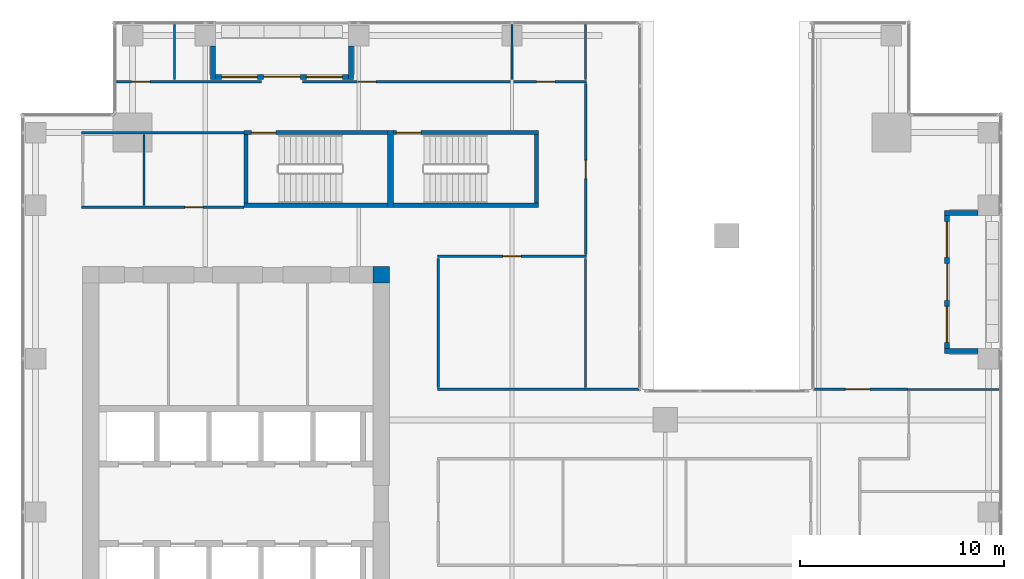
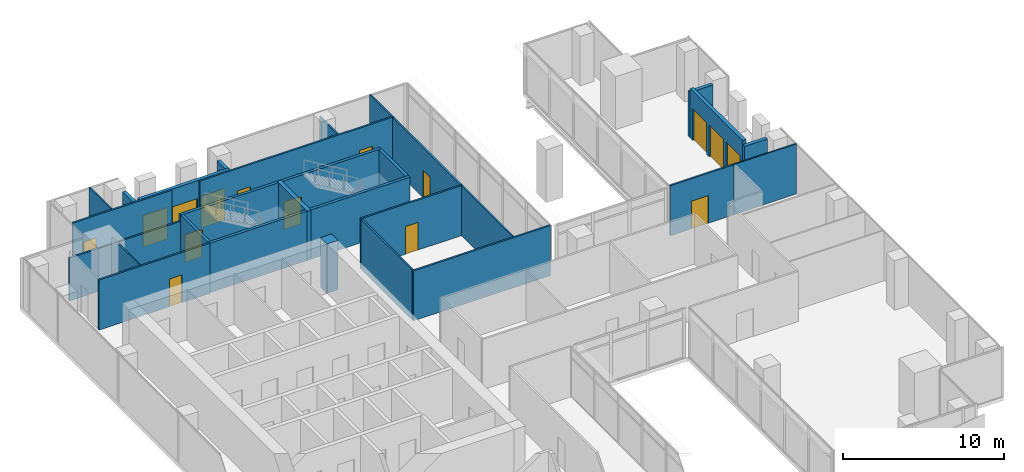
# One storey, part 36 of 40: 29 walls, 11 doors, 4 windows, 15 openings.
"""IFC4 building model written with IfcOpenShell, lengths in metres."""

from ifc_helpers import new_model, si_unit, direction, frame, frame_2d, origin, place, context, subcontext, project, spatial, rectangle, extrude, source, transform, mapped, material, layer, layer_set, type_object, element, fill, save


model = new_model("IFC4")

# Units and contexts
model_context = context("Model", 3, precision=1e-05, world=origin(), true_north=direction((0.0, 1.0)))
body_context = subcontext(model_context, "Body", "Model", "MODEL_VIEW")
ifc_project = project(units=[si_unit("LENGTHUNIT", "METRE"), si_unit("AREAUNIT", "SQUARE_METRE"), si_unit("VOLUMEUNIT", "CUBIC_METRE"), si_unit("PLANEANGLEUNIT", "RADIAN"), si_unit("MASSUNIT", "GRAM", prefix="KILO")], contexts=[model_context])

# Site, building, storey
site_placement = place(None, origin())
site = spatial("IfcSite", under=ifc_project, at=site_placement, CompositionType="ELEMENT")
building_placement = place(site_placement, origin())
building = spatial("IfcBuilding", under=site, at=building_placement, Name="Khomas Fold Tower", CompositionType="ELEMENT")
storey_placement = place(building_placement, frame((0.0, 0.0, 180.699951171875)))
storey = spatial("IfcBuildingStorey", under=building, at=storey_placement, Name="L39", CompositionType="ELEMENT", Elevation=180.699951171875)

# Wall
ifc_material_1 = material(Name="Concrete C60/75", Category="concrete")
ifc_layer_1 = layer(ifc_material_1, 0.800048828125)
ifc_layer_set_1 = layer_set([ifc_layer_1], Name="Concrete C60/75")
wall_type_1 = type_object("IfcWallType", Name="Core corner wall 800", PredefinedType="SHEAR", material=ifc_layer_set_1)
shared_shape_1 = source(origin(), body_context, "Body", "SweptSolid", [
    extrude(rectangle(XDim=0.800048828125, YDim=0.800048828125, at=frame_2d((0.39990234375, 0.0))), origin(), (0.0, 0.0, 1.0), 3.75),
])
wall_1_placement = place(storey_placement, frame((20.199951171875, 38.60009765625, 0.0), z_axis=(0.0, 0.0, 1.0), x_axis=(1.0, 0.0, 0.0)))
element("IfcWall", 1, at=wall_1_placement, inside=storey, type_object=wall_type_1, Name="Core wall CW-U-NE-L35", PredefinedType="SHEAR", context=body_context, shape_type="MappedRepresentation", body=[
    mapped(shared_shape_1, transform((0.0, 0.0, 0.0))),
])

# Wall, opening, door
ifc_material_2 = material(Name="Concrete C50/60", Category="concrete")
ifc_layer_2 = layer(ifc_material_2, 0.199951171875)
ifc_layer_set_2 = layer_set([ifc_layer_2], Name="Concrete C50/60")
wall_type_2 = type_object("IfcWallType", Name="Stair wall 200", PredefinedType="SHEAR", material=ifc_layer_set_2)
shared_shape_2 = source(origin(), body_context, "Body", "SweptSolid", [
    extrude(rectangle(XDim=7.0, YDim=0.199951171875, at=frame_2d((3.5, 0.0))), origin(), (0.0, 0.0, 1.0), 3.75),
])
wall_2_placement = place(storey_placement, frame((13.89990234375, 45.550048828125, 0.0), z_axis=(0.0, 0.0, 1.0), x_axis=(1.0, 0.0, 0.0)))
wall_2 = element("IfcWall", 2, at=wall_2_placement, inside=storey, type_object=wall_type_2, Name="Stair wall SW-ST1-N", PredefinedType="SHEAR", context=body_context, shape_type="MappedRepresentation", body=[
    mapped(shared_shape_2, transform((0.0, 0.0, 0.0))),
])
shared_shape_3 = source(origin(), body_context, "Body", "SweptSolid", [
    extrude(rectangle(XDim=1.199951171875, YDim=2.10009765625, at=frame_2d((0.60009765625, 1.050048828125))), frame((0.0, 0.10986328125, 0.0), z_axis=(0.0, -1.0, 0.0), x_axis=(1.0, 0.0, 0.0)), (0.0, 0.0, 1.0), 0.219970703125),
])
opening_1_placement = place(wall_2_placement, frame((0.35009765625, 0.0, 0.0)))
opening_1 = element("IfcOpeningElement", 3, at=opening_1_placement, cuts=wall_2, Name="Opening SD-ST1", PredefinedType="OPENING", context=body_context, shape_type="MappedRepresentation", body=[
    mapped(shared_shape_3, transform((0.0, 0.0, 0.0))),
])
ifc_material_3 = material(Name="Steel door leaf", Category="steel")
door_type_1 = type_object("IfcDoorType", Name="Stair door 1200x2100 left-hand", OperationType="SINGLE_SWING_LEFT", PredefinedType="DOOR", material=ifc_material_3)
shared_shape_4 = source(origin(), body_context, "Body", "SweptSolid", [
    extrude(rectangle(XDim=1.199951171875, YDim=2.10009765625, at=frame_2d((0.60009765625, 1.050048828125))), frame((0.0, 0.02490234375, 0.0), z_axis=(0.0, -1.0, 0.0), x_axis=(1.0, 0.0, 0.0)), (0.0, 0.0, 1.0), 0.050048828125),
])
door_1_placement = place(opening_1_placement, origin())
door_1 = element("IfcDoor", 4, at=door_1_placement, inside=storey, type_object=door_type_1, Name="Stair door", OperationType="SINGLE_SWING_LEFT", OverallHeight=2.10009765625, OverallWidth=1.199951171875, PredefinedType="DOOR", context=body_context, shape_type="MappedRepresentation", body=[
    mapped(shared_shape_4, transform((0.0, 0.0, 0.0))),
])
fill(opening_1, door_1)

# Wall
wall_3_placement = place(storey_placement, frame((13.89990234375, 42.0, 0.0), z_axis=(0.0, 0.0, 1.0), x_axis=(1.0, 0.0, 0.0)))
element("IfcWall", 5, at=wall_3_placement, inside=storey, type_object=wall_type_2, Name="Stair wall SW-ST1-S", PredefinedType="SHEAR", context=body_context, shape_type="MappedRepresentation", body=[
    mapped(shared_shape_2, transform((0.0, 0.0, 0.0))),
])

# Wall, opening, door
shared_shape_5 = source(origin(), body_context, "Body", "SweptSolid", [
    extrude(rectangle(XDim=7.10009765625, YDim=0.199951171875, at=frame_2d((3.550048828125, 0.0))), origin(), (0.0, 0.0, 1.0), 3.75),
])
wall_4_placement = place(storey_placement, frame((21.199951171875, 45.550048828125, 0.0), z_axis=(0.0, 0.0, 1.0), x_axis=(1.0, 0.0, 0.0)))
wall_4 = element("IfcWall", 6, at=wall_4_placement, inside=storey, type_object=wall_type_2, Name="Stair wall SW-ST3-N", PredefinedType="SHEAR", context=body_context, shape_type="MappedRepresentation", body=[
    mapped(shared_shape_5, transform((0.0, 0.0, 0.0))),
])
opening_2_placement = place(wall_4_placement, frame((0.14990234375, 0.0, 0.0)))
opening_2 = element("IfcOpeningElement", 7, at=opening_2_placement, cuts=wall_4, Name="Opening SD-ST3", PredefinedType="OPENING", context=body_context, shape_type="MappedRepresentation", body=[
    mapped(shared_shape_3, transform((0.0, 0.0, 0.0))),
])
door_2_placement = place(opening_2_placement, origin())
door_2 = element("IfcDoor", 8, at=door_2_placement, inside=storey, type_object=door_type_1, Name="Stair door", OperationType="SINGLE_SWING_LEFT", OverallHeight=2.10009765625, OverallWidth=1.199951171875, PredefinedType="DOOR", context=body_context, shape_type="MappedRepresentation", body=[
    mapped(shared_shape_4, transform((0.0, 0.0, 0.0))),
])
fill(opening_2, door_2)

# Walls
wall_5_placement = place(storey_placement, frame((21.199951171875, 42.0, 0.0), z_axis=(0.0, 0.0, 1.0), x_axis=(1.0, 0.0, 0.0)))
element("IfcWall", 9, at=wall_5_placement, inside=storey, type_object=wall_type_2, Name="Stair wall SW-ST3-S", PredefinedType="SHEAR", context=body_context, shape_type="MappedRepresentation", body=[
    mapped(shared_shape_5, transform((0.0, 0.0, 0.0))),
])
ifc_material_4 = material(Name="Concrete C50/60", Category="concrete")
ifc_layer_3 = layer(ifc_material_4, 0.300048828125)
ifc_layer_set_3 = layer_set([ifc_layer_3], Name="Concrete C50/60")
wall_type_3 = type_object("IfcWallType", Name="Stair wall 300", PredefinedType="SHEAR", material=ifc_layer_set_3)
shared_shape_6 = source(origin(), body_context, "Body", "SweptSolid", [
    extrude(rectangle(XDim=3.75, YDim=0.300048828125, at=frame_2d((1.875, 0.0))), origin(), (0.0, 0.0, 1.0), 3.75),
])
wall_6_placement = place(storey_placement, frame((21.050048828125, 41.89990234375, 0.0), z_axis=(0.0, 0.0, 1.0), x_axis=(0.0, 1.0, 0.0)))
element("IfcWall", 10, at=wall_6_placement, inside=storey, type_object=wall_type_3, Name="Stair wall SW-ST1-E", PredefinedType="SHEAR", context=body_context, shape_type="MappedRepresentation", body=[
    mapped(shared_shape_6, transform((0.0, 0.0, 0.0))),
])
shared_shape_7 = source(origin(), body_context, "Body", "SweptSolid", [
    extrude(rectangle(XDim=3.349853515625, YDim=0.199951171875, at=frame_2d((1.6748046875, 0.0))), origin(), (0.0, 0.0, 1.0), 3.75),
])
for number, where, z_axis, x_axis, name in (
    (11, (14.0, 42.10009765625, 0.0), (0.0, 0.0, 1.0), (0.0, 1.0, 0.0), "Stair wall SW-ST1-W"),
    (12, (28.199951171875, 42.10009765625, 0.0), (0.0, 0.0, 1.0), (0.0, 1.0, 0.0), "Stair wall SW-ST3-E"),
):
    element("IfcWall", number, at=place(storey_placement, frame(where, z_axis=z_axis, x_axis=x_axis)), inside=storey, type_object=wall_type_2, Name=name, PredefinedType="SHEAR", context=body_context, shape_type="MappedRepresentation", body=[
        mapped(shared_shape_7, transform((0.0, 0.0, 0.0))),
    ])

# Wall, openings, door, windows
ifc_material_5 = material(Name="Natural stone", Category="masonry")
ifc_layer_4 = layer(ifc_material_5, 0.0400390625)
ifc_material_6 = material(Name="Mineral wool insulation", Category="insulation")
ifc_layer_5 = layer(ifc_material_6, 0.10009765625)
ifc_material_7 = material(Name="Masonry", Category="masonry")
ifc_layer_6 = layer(ifc_material_7, 0.110107421875)
ifc_layer_set_4 = layer_set([ifc_layer_4, ifc_layer_5, ifc_layer_6], Name="Stone-faced insulated masonry")
wall_type_4 = type_object("IfcWallType", Name="BL-Balcony wall", PredefinedType="SOLIDWALL", material=ifc_layer_set_4)
shared_shape_8 = source(origin(), body_context, "Body", "SweptSolid", [
    extrude(rectangle(XDim=6.5, YDim=0.25, at=frame_2d((3.25, 0.0))), origin(), (0.0, 0.0, 1.0), 3.75),
])
wall_7_placement = place(storey_placement, frame((48.27490234375, 35.0, 0.0), z_axis=(0.0, 0.0, 1.0), x_axis=(0.0, 1.0, 0.0)))
wall_7 = element("IfcWall", 13, at=wall_7_placement, inside=storey, type_object=wall_type_4, Name="Balcony wall BAL-L39-E4", PredefinedType="SOLIDWALL", context=body_context, shape_type="MappedRepresentation", body=[
    mapped(shared_shape_8, transform((0.0, 0.0, 0.0))),
])
shared_shape_9 = source(origin(), body_context, "Body", "SweptSolid", [
    extrude(rectangle(XDim=1.75, YDim=2.39990234375, at=frame_2d((0.875, 1.199951171875))), frame((0.0, 0.135009765625, 0.0), z_axis=(0.0, -1.0, 0.0), x_axis=(1.0, 0.0, 0.0)), (0.0, 0.0, 1.0), 0.27001953125),
])
opening_3_placement = place(wall_7_placement, frame((0.300048828125, 0.0, 0.0)))
opening_3 = element("IfcOpeningElement", 14, at=opening_3_placement, cuts=wall_7, Name="Opening BL-W3", PredefinedType="OPENING", context=body_context, shape_type="MappedRepresentation", body=[
    mapped(shared_shape_9, transform((0.0, 0.0, 0.0))),
])
opening_4_placement = place(wall_7_placement, frame((4.449951171875, 0.0, 0.0)))
opening_4 = element("IfcOpeningElement", 15, at=opening_4_placement, cuts=wall_7, Name="Opening BL-W3", PredefinedType="OPENING", context=body_context, shape_type="MappedRepresentation", body=[
    mapped(shared_shape_9, transform((0.0, 0.0, 0.0))),
])
shared_shape_10 = source(origin(), body_context, "Body", "SweptSolid", [
    extrude(rectangle(XDim=1.800048828125, YDim=2.39990234375, at=frame_2d((0.89990234375, 1.199951171875))), frame((0.0, 0.135009765625, 0.0), z_axis=(0.0, -1.0, 0.0), x_axis=(1.0, 0.0, 0.0)), (0.0, 0.0, 1.0), 0.27001953125),
])
opening_5_placement = place(wall_7_placement, frame((2.35009765625, 0.0, 0.0)))
opening_5 = element("IfcOpeningElement", 16, at=opening_5_placement, cuts=wall_7, Name="Opening BD391", PredefinedType="OPENING", context=body_context, shape_type="MappedRepresentation", body=[
    mapped(shared_shape_10, transform((0.0, 0.0, 0.0))),
])
ifc_material_8 = material(Name="Aluminium framed double glazing", Category="aluminium")
door_type_2 = type_object("IfcDoorType", Name="BL-Glazed balcony door 1800 x 2400", OperationType="DOUBLE_DOOR_DOUBLE_SWING", PredefinedType="DOOR", material=ifc_material_8)
shared_shape_11 = source(origin(), body_context, "Body", "SweptSolid", [
    extrude(rectangle(XDim=1.800048828125, YDim=2.39990234375, at=frame_2d((0.89990234375, 1.199951171875))), frame((0.0, 0.02490234375, 0.0), z_axis=(0.0, -1.0, 0.0), x_axis=(1.0, 0.0, 0.0)), (0.0, 0.0, 1.0), 0.050048828125),
])
door_3_placement = place(opening_5_placement, origin())
door_3 = element("IfcDoor", 17, at=door_3_placement, inside=storey, type_object=door_type_2, Name="Balcony door BD391", OperationType="DOUBLE_DOOR_DOUBLE_SWING", OverallHeight=2.39990234375, OverallWidth=1.800048828125, PredefinedType="DOOR", context=body_context, shape_type="MappedRepresentation", body=[
    mapped(shared_shape_11, transform((0.0, 0.0, 0.0))),
])
fill(opening_5, door_3)
ifc_material_9 = material(Name="Aluminium framed double glazing", Category="aluminium")
window_type = type_object("IfcWindowType", Name="BL-Fixed glazing 1750 x 2400", PartitioningType="SINGLE_PANEL", PredefinedType="WINDOW", material=ifc_material_9)
shared_shape_12 = source(origin(), body_context, "Body", "SweptSolid", [
    extrude(rectangle(XDim=1.75, YDim=2.39990234375, at=frame_2d((0.875, 1.199951171875))), frame((0.0, 0.030029296875, 0.0), z_axis=(0.0, -1.0, 0.0), x_axis=(1.0, 0.0, 0.0)), (0.0, 0.0, 1.0), 0.06005859375),
])
window_1_placement = place(opening_3_placement, origin())
window_1 = element("IfcWindow", 18, at=window_1_placement, inside=storey, type_object=window_type, Name="Balcony glazing BAL-L39-E4-1", OverallHeight=2.39990234375, OverallWidth=1.75, PartitioningType="SINGLE_PANEL", PredefinedType="WINDOW", context=body_context, shape_type="MappedRepresentation", body=[
    mapped(shared_shape_12, transform((0.0, 0.0, 0.0))),
])
fill(opening_3, window_1)
window_2_placement = place(opening_4_placement, origin())
window_2 = element("IfcWindow", 19, at=window_2_placement, inside=storey, type_object=window_type, Name="Balcony glazing BAL-L39-E4-2", OverallHeight=2.39990234375, OverallWidth=1.75, PartitioningType="SINGLE_PANEL", PredefinedType="WINDOW", context=body_context, shape_type="MappedRepresentation", body=[
    mapped(shared_shape_12, transform((0.0, 0.0, 0.0))),
])
fill(opening_4, window_2)

wall_8_placement = place(storey_placement, frame((12.5, 48.27490234375, 0.0), z_axis=(0.0, 0.0, 1.0), x_axis=(1.0, 0.0, 0.0)))
wall_8 = element("IfcWall", 20, at=wall_8_placement, inside=storey, type_object=wall_type_4, Name="Balcony wall BAL-L39-N1", PredefinedType="SOLIDWALL", context=body_context, shape_type="MappedRepresentation", body=[
    mapped(shared_shape_8, transform((0.0, 0.0, 0.0))),
])
opening_6_placement = place(wall_8_placement, frame((0.300048828125, 0.0, 0.0)))
opening_6 = element("IfcOpeningElement", 21, at=opening_6_placement, cuts=wall_8, Name="Opening BL-W3", PredefinedType="OPENING", context=body_context, shape_type="MappedRepresentation", body=[
    mapped(shared_shape_9, transform((0.0, 0.0, 0.0))),
])
opening_7_placement = place(wall_8_placement, frame((4.449951171875, 0.0, 0.0)))
opening_7 = element("IfcOpeningElement", 22, at=opening_7_placement, cuts=wall_8, Name="Opening BL-W3", PredefinedType="OPENING", context=body_context, shape_type="MappedRepresentation", body=[
    mapped(shared_shape_9, transform((0.0, 0.0, 0.0))),
])
opening_8_placement = place(wall_8_placement, frame((2.35009765625, 0.0, 0.0)))
opening_8 = element("IfcOpeningElement", 23, at=opening_8_placement, cuts=wall_8, Name="Opening BD392", PredefinedType="OPENING", context=body_context, shape_type="MappedRepresentation", body=[
    mapped(shared_shape_10, transform((0.0, 0.0, 0.0))),
])
door_4_placement = place(opening_8_placement, origin())
door_4 = element("IfcDoor", 24, at=door_4_placement, inside=storey, type_object=door_type_2, Name="Balcony door BD392", OperationType="DOUBLE_DOOR_DOUBLE_SWING", OverallHeight=2.39990234375, OverallWidth=1.800048828125, PredefinedType="DOOR", context=body_context, shape_type="MappedRepresentation", body=[
    mapped(shared_shape_11, transform((0.0, 0.0, 0.0))),
])
fill(opening_8, door_4)
window_3_placement = place(opening_6_placement, origin())
window_3 = element("IfcWindow", 25, at=window_3_placement, inside=storey, type_object=window_type, Name="Balcony glazing BAL-L39-N1-1", OverallHeight=2.39990234375, OverallWidth=1.75, PartitioningType="SINGLE_PANEL", PredefinedType="WINDOW", context=body_context, shape_type="MappedRepresentation", body=[
    mapped(shared_shape_12, transform((0.0, 0.0, 0.0))),
])
fill(opening_6, window_3)
window_4_placement = place(opening_7_placement, origin())
window_4 = element("IfcWindow", 26, at=window_4_placement, inside=storey, type_object=window_type, Name="Balcony glazing BAL-L39-N1-2", OverallHeight=2.39990234375, OverallWidth=1.75, PartitioningType="SINGLE_PANEL", PredefinedType="WINDOW", context=body_context, shape_type="MappedRepresentation", body=[
    mapped(shared_shape_12, transform((0.0, 0.0, 0.0))),
])
fill(opening_7, window_4)

# Walls
shared_shape_13 = source(origin(), body_context, "Body", "SweptSolid", [
    extrude(rectangle(XDim=1.650146484375, YDim=0.25, at=frame_2d((0.8251953125, 0.0))), origin(), (0.0, 0.0, 1.0), 3.449951171875),
])
for number, where, z_axis, x_axis, name in (
    (27, (49.800048828125, 34.875, 0.0), (0.0, 0.0, 1.0), (-1.0, 0.0, 0.0), "Balcony return wall BAL-L39-E4-lo"),
    (28, (49.800048828125, 41.625, 0.0), (0.0, 0.0, 1.0), (-1.0, 0.0, 0.0), "Balcony return wall BAL-L39-E4-hi"),
    (29, (12.375, 49.800048828125, 0.0), (0.0, 0.0, 1.0), (0.0, -1.0, 0.0), "Balcony return wall BAL-L39-N1-lo"),
    (30, (19.125, 49.800048828125, 0.0), (0.0, 0.0, 1.0), (0.0, -1.0, 0.0), "Balcony return wall BAL-L39-N1-hi"),
):
    element("IfcWall", number, at=place(storey_placement, frame(where, z_axis=z_axis, x_axis=x_axis)), inside=storey, type_object=wall_type_4, Name=name, PredefinedType="SOLIDWALL", context=body_context, shape_type="MappedRepresentation", body=[
        mapped(shared_shape_13, transform((0.0, 0.0, 0.0))),
    ])
ifc_material_10 = material(Name="Plasterboard partition")
ifc_layer_7 = layer(ifc_material_10, 0.125)
ifc_layer_set_5 = layer_set([ifc_layer_7], Name="Plasterboard partition")
wall_type_5 = type_object("IfcWallType", Name="Partition PW2 125", PredefinedType="PARTITIONING", material=ifc_layer_set_5)
shared_shape_14 = source(origin(), body_context, "Body", "SweptSolid", [
    extrude(rectangle(XDim=7.949951171875, YDim=0.125, at=frame_2d((3.97509765625, 0.0))), origin(), (0.0, 0.0, 1.0), 3.25),
])
wall_9_placement = place(storey_placement, frame((5.949951171875, 45.550048828125, 0.0), z_axis=(0.0, 0.0, 1.0), x_axis=(1.0, 0.0, 0.0)))
element("IfcWall", 31, at=wall_9_placement, inside=storey, type_object=wall_type_5, Name="Partition", PredefinedType="PARTITIONING", context=body_context, shape_type="MappedRepresentation", body=[
    mapped(shared_shape_14, transform((0.0, 0.0, 0.0))),
])
ifc_material_11 = material(Name="Plasterboard partition")
ifc_layer_8 = layer(ifc_material_11, 0.10009765625)
ifc_layer_set_6 = layer_set([ifc_layer_8], Name="Plasterboard partition")
wall_type_6 = type_object("IfcWallType", Name="Partition PW1 100", PredefinedType="PARTITIONING", material=ifc_layer_set_6)
shared_shape_15 = source(origin(), body_context, "Body", "SweptSolid", [
    extrude(rectangle(XDim=4.5, YDim=0.10009765625, at=frame_2d((2.25, 0.0))), origin(), (0.0, 0.0, 1.0), 3.800048828125),
])
wall_10_placement = place(storey_placement, frame((46.35009765625, 33.0, 0.0), z_axis=(0.0, 0.0, 1.0), x_axis=(1.0, 0.0, 0.0)))
element("IfcWall", 32, at=wall_10_placement, inside=storey, type_object=wall_type_6, Name="Partition", PredefinedType="PARTITIONING", context=body_context, shape_type="MappedRepresentation", body=[
    mapped(shared_shape_15, transform((0.0, 0.0, 0.0))),
])
shared_shape_16 = source(origin(), body_context, "Body", "SweptSolid", [
    extrude(rectangle(XDim=6.2998046875, YDim=0.125, at=frame_2d((3.14990234375, 0.0))), origin(), (0.0, 0.0, 1.0), 3.800048828125),
])
wall_11_placement = place(storey_placement, frame((23.39990234375, 33.10009765625, 0.0), z_axis=(0.0, 0.0, 1.0), x_axis=(0.0, 1.0, 0.0)))
element("IfcWall", 33, at=wall_11_placement, inside=storey, type_object=wall_type_5, Name="Partition", PredefinedType="PARTITIONING", context=body_context, shape_type="MappedRepresentation", body=[
    mapped(shared_shape_16, transform((0.0, 0.0, 0.0))),
])

# Wall, opening, door
shared_shape_17 = source(origin(), body_context, "Body", "SweptSolid", [
    extrude(rectangle(XDim=7.949951171875, YDim=0.125, at=frame_2d((3.97509765625, 0.0))), origin(), (0.0, 0.0, 1.0), 3.800048828125),
])
wall_12_placement = place(storey_placement, frame((5.949951171875, 41.89990234375, 0.0), z_axis=(0.0, 0.0, 1.0), x_axis=(1.0, 0.0, 0.0)))
wall_12 = element("IfcWall", 34, at=wall_12_placement, inside=storey, type_object=wall_type_5, Name="Partition", PredefinedType="PARTITIONING", context=body_context, shape_type="MappedRepresentation", body=[
    mapped(shared_shape_17, transform((0.0, 0.0, 0.0))),
])
shared_shape_18 = source(origin(), body_context, "Body", "SweptSolid", [
    extrude(rectangle(XDim=0.89990234375, YDim=2.10009765625, at=frame_2d((0.449951171875, 1.050048828125))), frame((0.0, 0.072509765625, 0.0), z_axis=(0.0, -1.0, 0.0), x_axis=(1.0, 0.0, 0.0)), (0.0, 0.0, 1.0), 0.14501953125),
])
opening_9_placement = place(wall_12_placement, frame((5.050048828125, 0.0, 0.0)))
opening_9 = element("IfcOpeningElement", 35, at=opening_9_placement, cuts=wall_12, Name="Opening 0007", PredefinedType="OPENING", context=body_context, shape_type="MappedRepresentation", body=[
    mapped(shared_shape_18, transform((0.0, 0.0, 0.0))),
])
ifc_material_12 = material(Name="Timber door leaf", Category="wood")
door_type_3 = type_object("IfcDoorType", Name="Door 900x2100 left-hand", OperationType="SINGLE_SWING_LEFT", PredefinedType="DOOR", material=ifc_material_12)
shared_shape_19 = source(origin(), body_context, "Body", "SweptSolid", [
    extrude(rectangle(XDim=0.89990234375, YDim=2.10009765625, at=frame_2d((0.449951171875, 1.050048828125))), frame((0.0, 0.02490234375, 0.0), z_axis=(0.0, -1.0, 0.0), x_axis=(1.0, 0.0, 0.0)), (0.0, 0.0, 1.0), 0.050048828125),
])
door_5_placement = place(opening_9_placement, origin())
door_5 = element("IfcDoor", 36, at=door_5_placement, inside=storey, type_object=door_type_3, Name="Door", OperationType="SINGLE_SWING_LEFT", OverallHeight=2.10009765625, OverallWidth=0.89990234375, PredefinedType="DOOR", context=body_context, shape_type="MappedRepresentation", body=[
    mapped(shared_shape_19, transform((0.0, 0.0, 0.0))),
])
fill(opening_9, door_5)

# Walls
shared_shape_20 = source(origin(), body_context, "Body", "SweptSolid", [
    extrude(rectangle(XDim=3.449951171875, YDim=0.10009765625, at=frame_2d((1.72509765625, 0.0))), origin(), (0.0, 0.0, 1.0), 3.800048828125),
])
wall_13_placement = place(storey_placement, frame((9.0, 42.0, 0.0), z_axis=(0.0, 0.0, 1.0), x_axis=(0.0, 1.0, 0.0)))
element("IfcWall", 37, at=wall_13_placement, inside=storey, type_object=wall_type_6, Name="Partition", PredefinedType="PARTITIONING", context=body_context, shape_type="MappedRepresentation", body=[
    mapped(shared_shape_20, transform((0.0, 0.0, 0.0))),
])
shared_shape_21 = source(origin(), body_context, "Body", "SweptSolid", [
    extrude(rectangle(XDim=2.7001953125, YDim=0.10009765625, at=frame_2d((1.35009765625, 0.0))), origin(), (0.0, 0.0, 1.0), 3.420166015625),
])
wall_14_placement = place(storey_placement, frame((27.0, 48.14990234375, 0.0), z_axis=(0.0, 0.0, 1.0), x_axis=(0.0, 1.0, 0.0)))
element("IfcWall", 38, at=wall_14_placement, inside=storey, type_object=wall_type_6, Name="Partition", PredefinedType="PARTITIONING", context=body_context, shape_type="MappedRepresentation", body=[
    mapped(shared_shape_21, transform((0.0, 0.0, 0.0))),
])
shared_shape_22 = source(origin(), body_context, "Body", "SweptSolid", [
    extrude(rectangle(XDim=2.7001953125, YDim=0.10009765625, at=frame_2d((1.35009765625, 0.0))), origin(), (0.0, 0.0, 1.0), 3.800048828125),
])
for number, where, z_axis, x_axis, name in (
    (39, (10.5, 48.14990234375, 0.0), (0.0, 0.0, 1.0), (0.0, 1.0, 0.0), "Partition"),
    (40, (30.60009765625, 48.14990234375, 0.0), (0.0, 0.0, 1.0), (0.0, 1.0, 0.0), "Partition"),
):
    element("IfcWall", number, at=place(storey_placement, frame(where, z_axis=z_axis, x_axis=x_axis)), inside=storey, type_object=wall_type_6, Name=name, PredefinedType="PARTITIONING", context=body_context, shape_type="MappedRepresentation", body=[
        mapped(shared_shape_22, transform((0.0, 0.0, 0.0))),
    ])

# Wall, opening, door
shared_shape_23 = source(origin(), body_context, "Body", "SweptSolid", [
    extrude(rectangle(XDim=7.10009765625, YDim=0.125, at=frame_2d((3.550048828125, 0.0))), origin(), (0.0, 0.0, 1.0), 3.800048828125),
])
wall_15_placement = place(storey_placement, frame((7.64990234375, 48.050048828125, 0.0), z_axis=(0.0, 0.0, 1.0), x_axis=(1.0, 0.0, 0.0)))
wall_15 = element("IfcWall", 41, at=wall_15_placement, inside=storey, type_object=wall_type_5, Name="Partition", PredefinedType="PARTITIONING", context=body_context, shape_type="MappedRepresentation", body=[
    mapped(shared_shape_23, transform((0.0, 0.0, 0.0))),
])
opening_10_placement = place(wall_15_placement, frame((0.75, 0.0, 0.0)))
opening_10 = element("IfcOpeningElement", 42, at=opening_10_placement, cuts=wall_15, Name="Opening 0008", PredefinedType="OPENING", context=body_context, shape_type="MappedRepresentation", body=[
    mapped(shared_shape_18, transform((0.0, 0.0, 0.0))),
])
ifc_material_13 = material(Name="Timber door leaf", Category="wood")
door_type_4 = type_object("IfcDoorType", Name="Door 900x2100 right-hand", OperationType="SINGLE_SWING_RIGHT", PredefinedType="DOOR", material=ifc_material_13)
door_6_placement = place(opening_10_placement, origin())
door_6 = element("IfcDoor", 43, at=door_6_placement, inside=storey, type_object=door_type_4, Name="Door", OperationType="SINGLE_SWING_RIGHT", OverallHeight=2.10009765625, OverallWidth=0.89990234375, PredefinedType="DOOR", context=body_context, shape_type="MappedRepresentation", body=[
    mapped(shared_shape_19, transform((0.0, 0.0, 0.0))),
])
fill(opening_10, door_6)

# Wall
shared_shape_24 = source(origin(), body_context, "Body", "SweptSolid", [
    extrude(rectangle(XDim=9.849853515625, YDim=0.125, at=frame_2d((4.9248046875, 0.0))), origin(), (0.0, 0.0, 1.0), 3.800048828125),
])
wall_16_placement = place(storey_placement, frame((23.35009765625, 33.0, 0.0), z_axis=(0.0, 0.0, 1.0), x_axis=(1.0, 0.0, 0.0)))
element("IfcWall", 44, at=wall_16_placement, inside=storey, type_object=wall_type_5, Name="Partition", PredefinedType="PARTITIONING", context=body_context, shape_type="MappedRepresentation", body=[
    mapped(shared_shape_24, transform((0.0, 0.0, 0.0))),
])

# Wall, opening, door
shared_shape_25 = source(origin(), body_context, "Body", "SweptSolid", [
    extrude(rectangle(XDim=4.550048828125, YDim=0.125, at=frame_2d((2.27490234375, 0.0))), origin(), (0.0, 0.0, 1.0), 3.800048828125),
])
wall_17_placement = place(storey_placement, frame((41.800048828125, 33.0, 0.0), z_axis=(0.0, 0.0, 1.0), x_axis=(1.0, 0.0, 0.0)))
wall_17 = element("IfcWall", 45, at=wall_17_placement, inside=storey, type_object=wall_type_5, Name="Partition", PredefinedType="PARTITIONING", context=body_context, shape_type="MappedRepresentation", body=[
    mapped(shared_shape_25, transform((0.0, 0.0, 0.0))),
])
shared_shape_26 = source(origin(), body_context, "Body", "SweptSolid", [
    extrude(rectangle(XDim=1.199951171875, YDim=2.10009765625, at=frame_2d((0.60009765625, 1.050048828125))), frame((0.0, 0.072509765625, 0.0), z_axis=(0.0, -1.0, 0.0), x_axis=(1.0, 0.0, 0.0)), (0.0, 0.0, 1.0), 0.14501953125),
])
opening_11_placement = place(wall_17_placement, frame((1.5, 0.0, 0.0)))
opening_11 = element("IfcOpeningElement", 46, at=opening_11_placement, cuts=wall_17, Name="Opening 0001", PredefinedType="OPENING", context=body_context, shape_type="MappedRepresentation", body=[
    mapped(shared_shape_26, transform((0.0, 0.0, 0.0))),
])
ifc_material_14 = material(Name="Timber door leaf", Category="wood")
door_type_5 = type_object("IfcDoorType", Name="Door 1200x2100 right-hand", OperationType="SINGLE_SWING_RIGHT", PredefinedType="DOOR", material=ifc_material_14)
door_7_placement = place(opening_11_placement, origin())
door_7 = element("IfcDoor", 47, at=door_7_placement, inside=storey, type_object=door_type_5, Name="Door", OperationType="SINGLE_SWING_RIGHT", OverallHeight=2.10009765625, OverallWidth=1.199951171875, PredefinedType="DOOR", context=body_context, shape_type="MappedRepresentation", body=[
    mapped(shared_shape_4, transform((0.0, 0.0, 0.0))),
])
fill(opening_11, door_7)

# Wall
shared_shape_27 = source(origin(), body_context, "Body", "SweptSolid", [
    extrude(rectangle(XDim=6.2998046875, YDim=0.10009765625, at=frame_2d((3.14990234375, 0.0))), origin(), (0.0, 0.0, 1.0), 3.800048828125),
])
wall_18_placement = place(storey_placement, frame((30.60009765625, 33.10009765625, 0.0), z_axis=(0.0, 0.0, 1.0), x_axis=(0.0, 1.0, 0.0)))
element("IfcWall", 48, at=wall_18_placement, inside=storey, type_object=wall_type_6, Name="Partition", PredefinedType="PARTITIONING", context=body_context, shape_type="MappedRepresentation", body=[
    mapped(shared_shape_27, transform((0.0, 0.0, 0.0))),
])

# Wall, opening, door
shared_shape_28 = source(origin(), body_context, "Body", "SweptSolid", [
    extrude(rectangle(XDim=7.2998046875, YDim=0.125, at=frame_2d((3.64990234375, 0.0))), origin(), (0.0, 0.0, 1.0), 3.800048828125),
])
wall_19_placement = place(storey_placement, frame((23.35009765625, 39.5, 0.0), z_axis=(0.0, 0.0, 1.0), x_axis=(1.0, 0.0, 0.0)))
wall_19 = element("IfcWall", 49, at=wall_19_placement, inside=storey, type_object=wall_type_5, Name="Partition", PredefinedType="PARTITIONING", context=body_context, shape_type="MappedRepresentation", body=[
    mapped(shared_shape_28, transform((0.0, 0.0, 0.0))),
])
opening_12_placement = place(wall_19_placement, frame((3.199951171875, 0.0, 0.0)))
opening_12 = element("IfcOpeningElement", 50, at=opening_12_placement, cuts=wall_19, Name="Opening 0007", PredefinedType="OPENING", context=body_context, shape_type="MappedRepresentation", body=[
    mapped(shared_shape_18, transform((0.0, 0.0, 0.0))),
])
door_8_placement = place(opening_12_placement, origin())
door_8 = element("IfcDoor", 51, at=door_8_placement, inside=storey, type_object=door_type_3, Name="Door", OperationType="SINGLE_SWING_LEFT", OverallHeight=2.10009765625, OverallWidth=0.89990234375, PredefinedType="DOOR", context=body_context, shape_type="MappedRepresentation", body=[
    mapped(shared_shape_19, transform((0.0, 0.0, 0.0))),
])
fill(opening_12, door_8)

shared_shape_29 = source(origin(), body_context, "Body", "SweptSolid", [
    extrude(rectangle(XDim=8.349853515625, YDim=0.125, at=frame_2d((4.1748046875, 0.0))), origin(), (0.0, 0.0, 1.0), 3.800048828125),
])
wall_20_placement = place(storey_placement, frame((30.60009765625, 39.60009765625, 0.0), z_axis=(0.0, 0.0, 1.0), x_axis=(0.0, 1.0, 0.0)))
wall_20 = element("IfcWall", 52, at=wall_20_placement, inside=storey, type_object=wall_type_5, Name="Partition", PredefinedType="PARTITIONING", context=body_context, shape_type="MappedRepresentation", body=[
    mapped(shared_shape_29, transform((0.0, 0.0, 0.0))),
])
opening_13_placement = place(wall_20_placement, frame((3.699951171875, 0.0, 0.0)))
opening_13 = element("IfcOpeningElement", 53, at=opening_13_placement, cuts=wall_20, Name="Opening 0008", PredefinedType="OPENING", context=body_context, shape_type="MappedRepresentation", body=[
    mapped(shared_shape_18, transform((0.0, 0.0, 0.0))),
])
door_9_placement = place(opening_13_placement, origin())
door_9 = element("IfcDoor", 54, at=door_9_placement, inside=storey, type_object=door_type_4, Name="Door", OperationType="SINGLE_SWING_RIGHT", OverallHeight=2.10009765625, OverallWidth=0.89990234375, PredefinedType="DOOR", context=body_context, shape_type="MappedRepresentation", body=[
    mapped(shared_shape_19, transform((0.0, 0.0, 0.0))),
])
fill(opening_13, door_9)

# Wall, openings, doors
shared_shape_30 = source(origin(), body_context, "Body", "SweptSolid", [
    extrude(rectangle(XDim=13.89990234375, YDim=0.125, at=frame_2d((6.949951171875, 0.0))), origin(), (0.0, 0.0, 1.0), 3.800048828125),
])
wall_21_placement = place(storey_placement, frame((16.75, 48.050048828125, 0.0), z_axis=(0.0, 0.0, 1.0), x_axis=(1.0, 0.0, 0.0)))
wall_21 = element("IfcWall", 55, at=wall_21_placement, inside=storey, type_object=wall_type_5, Name="Partition", PredefinedType="PARTITIONING", context=body_context, shape_type="MappedRepresentation", body=[
    mapped(shared_shape_30, transform((0.0, 0.0, 0.0))),
])
opening_14_placement = place(wall_21_placement, frame((2.699951171875, 0.0, 0.0)))
opening_14 = element("IfcOpeningElement", 56, at=opening_14_placement, cuts=wall_21, Name="Opening 0007", PredefinedType="OPENING", context=body_context, shape_type="MappedRepresentation", body=[
    mapped(shared_shape_18, transform((0.0, 0.0, 0.0))),
])
opening_15_placement = place(wall_21_placement, frame((11.449951171875, 0.0, 0.0)))
opening_15 = element("IfcOpeningElement", 57, at=opening_15_placement, cuts=wall_21, Name="Opening 0008", PredefinedType="OPENING", context=body_context, shape_type="MappedRepresentation", body=[
    mapped(shared_shape_18, transform((0.0, 0.0, 0.0))),
])
door_10_placement = place(opening_14_placement, origin())
door_10 = element("IfcDoor", 58, at=door_10_placement, inside=storey, type_object=door_type_3, Name="Door", OperationType="SINGLE_SWING_LEFT", OverallHeight=2.10009765625, OverallWidth=0.89990234375, PredefinedType="DOOR", context=body_context, shape_type="MappedRepresentation", body=[
    mapped(shared_shape_19, transform((0.0, 0.0, 0.0))),
])
fill(opening_14, door_10)
door_11_placement = place(opening_15_placement, origin())
door_11 = element("IfcDoor", 59, at=door_11_placement, inside=storey, type_object=door_type_4, Name="Door", OperationType="SINGLE_SWING_RIGHT", OverallHeight=2.10009765625, OverallWidth=0.89990234375, PredefinedType="DOOR", context=body_context, shape_type="MappedRepresentation", body=[
    mapped(shared_shape_19, transform((0.0, 0.0, 0.0))),
])
fill(opening_15, door_11)

save(model, "model.ifc")
